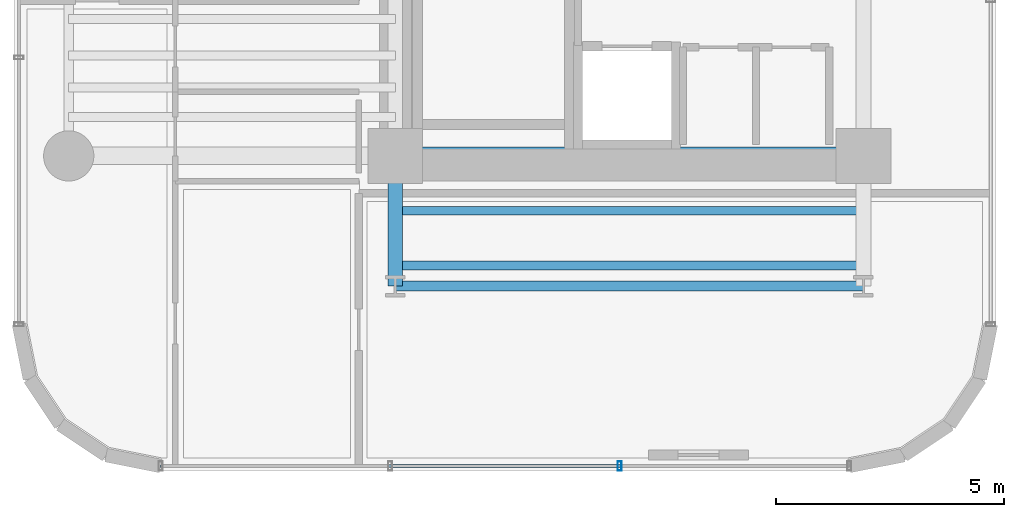
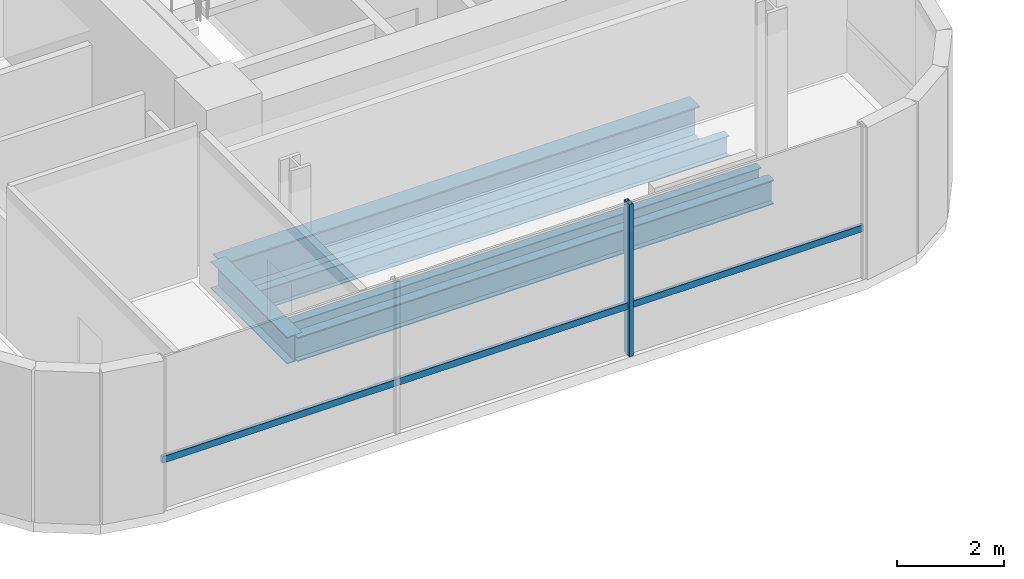
# One storey, part 3 of 36: 5 beams, 2 members, 1 element without a shape of its own.
"""IFC4 building model written with IfcOpenShell, lengths in metres."""

from ifc_helpers import new_model, si_unit, direction, frame, origin, origin_2d, place, context, subcontext, project, spatial, hollow_rectangle, i_section, extrude, source, transform, mapped, material, material_profile, profile_set, type_object, element, aggregate, save


model = new_model("IFC4")

# Units and contexts
model_context = context("Model", 3, precision=1e-05, world=origin(), true_north=direction((0.0, 1.0)))
body_context = subcontext(model_context, "Body", "Model", "MODEL_VIEW")
ifc_project = project(units=[si_unit("LENGTHUNIT", "METRE"), si_unit("AREAUNIT", "SQUARE_METRE"), si_unit("VOLUMEUNIT", "CUBIC_METRE"), si_unit("PLANEANGLEUNIT", "RADIAN"), si_unit("MASSUNIT", "GRAM", prefix="KILO")], contexts=[model_context])

# Site, building, storey
site_placement = place(None, origin())
site = spatial("IfcSite", under=ifc_project, at=site_placement, CompositionType="ELEMENT")
building_placement = place(site_placement, origin())
building = spatial("IfcBuilding", under=site, at=building_placement, Name="Valdorenza Pilgrim Sanctuary Tower", CompositionType="ELEMENT")
storey_placement = place(building_placement, frame((0.0, 0.0, 109.39990234375)))
storey = spatial("IfcBuildingStorey", under=building, at=storey_placement, Name="L27", CompositionType="ELEMENT", Elevation=109.39990234375)

# Beams
ifc_material_1 = material(Name="Steel ASTM A992 Grade 50", Category="steel")
ifc_material_profile_1 = material_profile(ifc_material_1, i_section(OverallWidth=0.214111328125, OverallDepth=0.549072265625, WebThickness=0.0146484375, FlangeThickness=0.023681640625, at=origin_2d()), Name="W21X93")
ifc_profile_set_1 = profile_set([ifc_material_profile_1], Name="Steel ASTM A992 Grade 50")
beam_type_1 = type_object("IfcBeamType", Name="STR-BM-SPN-W21A", PredefinedType="SPANDREL", material=ifc_profile_set_1)
shared_shape_1 = source(origin(), body_context, "Body", "SweptSolid", [
    extrude(i_section(OverallWidth=0.214111328125, OverallDepth=0.549072265625, WebThickness=0.0146484375, FlangeThickness=0.023681640625, at=origin_2d()), origin(), (0.0, 0.0, 1.0), 10.25),
])
beam_1_placement = place(storey_placement, frame((-22.64990234375, -13.449951171875, -0.514404296875), z_axis=(1.0, 0.0, 0.0), x_axis=(0.0, 1.0, 0.0)))
element("IfcBeam", 1, at=beam_1_placement, inside=storey, type_object=beam_type_1, Name="L27 South Spandrel WA-S-TIE", PredefinedType="SPANDREL", context=body_context, shape_type="MappedRepresentation", body=[
    mapped(shared_shape_1, transform((0.0, 0.0, 0.0), x_axis=(1.0, 0.0, 0.0), y_axis=(0.0, 1.0, 0.0), z_axis=(0.0, 0.0, 1.0), scale=1.0)),
])
ifc_material_profile_2 = material_profile(ifc_material_1, i_section(OverallWidth=0.323974609375, OverallDepth=0.611083984375, WebThickness=0.0126953125, FlangeThickness=0.01904296875, at=origin_2d()), Name="W24X104")
ifc_profile_set_2 = profile_set([ifc_material_profile_2], Name="Steel ASTM A992 Grade 50")
beam_type_2 = type_object("IfcBeamType", Name="STR-BM-GRD-W24B", PredefinedType="BEAM", material=ifc_profile_set_2)
shared_shape_2 = source(origin(), body_context, "Body", "SweptSolid", [
    extrude(i_section(OverallWidth=0.323974609375, OverallDepth=0.611083984375, WebThickness=0.0126953125, FlangeThickness=0.01904296875, at=origin_2d()), origin(), (0.0, 0.0, 1.0), 2.849853515625),
])
beam_2_placement = place(storey_placement, frame((-22.64990234375, -13.449951171875, -0.54541015625), z_axis=(0.0, 1.0, 0.0), x_axis=(-1.0, 0.0, 0.0)))
element("IfcBeam", 2, at=beam_2_placement, inside=storey, type_object=beam_type_2, Name="L27 Floor Girder WA-S-LW", PredefinedType="BEAM", context=body_context, shape_type="MappedRepresentation", body=[
    mapped(shared_shape_2, transform((0.0, 0.0, 0.0), x_axis=(1.0, 0.0, 0.0), y_axis=(0.0, 1.0, 0.0), z_axis=(0.0, 0.0, 1.0), scale=1.0)),
])
ifc_material_profile_3 = material_profile(ifc_material_1, i_section(OverallWidth=0.382080078125, OverallDepth=0.779052734375, WebThickness=0.01806640625, FlangeThickness=0.030029296875, at=origin_2d()), Name="W30X191")
ifc_profile_set_3 = profile_set([ifc_material_profile_3], Name="Steel ASTM A992 Grade 50")
beam_type_3 = type_object("IfcBeamType", Name="STR-BM-GRD-W30", PredefinedType="BEAM", material=ifc_profile_set_3)
shared_shape_3 = source(origin(), body_context, "Body", "SweptSolid", [
    extrude(i_section(OverallWidth=0.382080078125, OverallDepth=0.779052734375, WebThickness=0.01806640625, FlangeThickness=0.030029296875, at=origin_2d()), origin(), (0.0, 0.0, 1.0), 10.25),
])
beam_3_placement = place(storey_placement, frame((-22.64990234375, -10.60009765625, -0.62939453125), z_axis=(1.0, 0.0, 0.0), x_axis=(0.0, 1.0, 0.0)))
element("IfcBeam", 3, at=beam_3_placement, inside=storey, type_object=beam_type_3, Name="L27 Floor Girder CA-XC-S1", PredefinedType="BEAM", context=body_context, shape_type="MappedRepresentation", body=[
    mapped(shared_shape_3, transform((0.0, 0.0, 0.0), x_axis=(1.0, 0.0, 0.0), y_axis=(0.0, 1.0, 0.0), z_axis=(0.0, 0.0, 1.0), scale=1.0)),
])
ifc_material_profile_4 = material_profile(ifc_material_1, i_section(OverallWidth=0.19091796875, OverallDepth=0.45703125, WebThickness=0.009033203125, FlangeThickness=0.014404296875, at=origin_2d()), Name="W18X50")
ifc_profile_set_4 = profile_set([ifc_material_profile_4], Name="Steel ASTM A992 Grade 50")
beam_type_4 = type_object("IfcBeamType", Name="STR-BM-JST-W18B", PredefinedType="JOIST", material=ifc_profile_set_4)
shared_shape_4 = source(origin(), body_context, "Body", "SweptSolid", [
    extrude(i_section(OverallWidth=0.19091796875, OverallDepth=0.45703125, WebThickness=0.009033203125, FlangeThickness=0.014404296875, at=origin_2d()), origin(), (0.0, 0.0, 1.0), 10.25),
])
for number, where, z_axis, x_axis, name in (
    (4, (-22.64990234375, -13.0, -0.468505859375), (1.0, 0.0, 0.0), (0.0, 1.0, 0.0), "L27 Composite Floor Joist JST-WAS-1"),
    (5, (-22.64990234375, -11.800048828125, -0.468505859375), (1.0, 0.0, 0.0), (0.0, 1.0, 0.0), "L27 Composite Floor Joist JST-WAS-2"),
):
    element("IfcBeam", number, at=place(storey_placement, frame(where, z_axis=z_axis, x_axis=x_axis)), inside=storey, type_object=beam_type_4, Name=name, PredefinedType="JOIST", context=body_context, shape_type="MappedRepresentation", body=[
        mapped(shared_shape_4, transform((0.0, 0.0, 0.0), x_axis=(1.0, 0.0, 0.0), y_axis=(0.0, 1.0, 0.0), z_axis=(0.0, 0.0, 1.0), scale=1.0)),
    ])

# Curtain wall, members
ifc_material_2 = material(Name="Curtain-wall IGU glazing", Category="glass")
curtain_wall_type = type_object("IfcCurtainWallType", Name="CW-SYS-02", PredefinedType="NOTDEFINED", material=ifc_material_2)
curtain_wall_placement = place(storey_placement, origin())
curtain_wall = element("IfcCurtainWall", 6, at=curtain_wall_placement, inside=storey, type_object=curtain_wall_type, Name="L27 Curtain Wall CW-L27-1-46", PredefinedType="NOTDEFINED")
ifc_material_3 = material(Name="Anodised aluminium AW-6060", Category="aluminium")
ifc_material_profile_5 = material_profile(ifc_material_3, hollow_rectangle(XDim=0.0849609375, YDim=0.199951171875, WallThickness=0.0048828125, at=origin_2d()), Name="ALU-M 200x85x5")
ifc_profile_set_5 = profile_set([ifc_material_profile_5], Name="Anodised aluminium AW-6060")
member_type_1 = type_object("IfcMemberType", Name="CW-MUL-02", PredefinedType="MULLION", material=ifc_profile_set_5)
shared_shape_5 = source(origin(), body_context, "Body", "SweptSolid", [
    extrude(hollow_rectangle(XDim=0.0849609375, YDim=0.199951171875, WallThickness=0.0048828125, at=origin_2d()), origin(), (0.0, 0.0, 1.0), 3.460205078125),
])
member_1_placement = place(storey_placement, frame((-17.73681640625, -17.389892578125, 0.0), z_axis=(0.0, 0.0, 1.0), x_axis=(-1.0, 0.0, 0.0)))
member_1 = element("IfcMember", 7, at=member_1_placement, type_object=member_type_1, Name="CW-L27-1-46 Mullion 2", PredefinedType="MULLION", context=body_context, shape_type="MappedRepresentation", body=[
    mapped(shared_shape_5, transform((0.0, 0.0, 0.0), x_axis=(1.0, 0.0, 0.0), y_axis=(0.0, 1.0, 0.0), z_axis=(0.0, 0.0, 1.0), scale=1.0)),
])
ifc_material_profile_6 = material_profile(ifc_material_3, hollow_rectangle(XDim=0.074951171875, YDim=0.14990234375, WallThickness=0.00390625, at=origin_2d()), Name="ALU-T 150x75x4")
ifc_profile_set_6 = profile_set([ifc_material_profile_6], Name="Anodised aluminium AW-6060")
member_type_2 = type_object("IfcMemberType", Name="CW-TRN-02", PredefinedType="USERDEFINED", material=ifc_profile_set_6)
shared_shape_6 = source(origin(), body_context, "Body", "SweptSolid", [
    extrude(hollow_rectangle(XDim=0.074951171875, YDim=0.14990234375, WallThickness=0.00390625, at=origin_2d()), origin(), (0.0, 0.0, 1.0), 15.07861328125),
])
member_2_placement = place(storey_placement, frame((-12.710693359375, -17.389892578125, 1.1201171875), z_axis=(-1.0, 0.0, 0.0), x_axis=(0.0, -1.0, 0.0)))
member_2 = element("IfcMember", 8, at=member_2_placement, type_object=member_type_2, Name="CW-L27-1-46 Transom 1", ObjectType="TRANSOM", PredefinedType="USERDEFINED", context=body_context, shape_type="MappedRepresentation", body=[
    mapped(shared_shape_6, transform((0.0, 0.0, 0.0), x_axis=(1.0, 0.0, 0.0), y_axis=(0.0, 1.0, 0.0), z_axis=(0.0, 0.0, 1.0), scale=1.0)),
])
aggregate(curtain_wall, [member_1, member_2])

save(model, "model.ifc")
